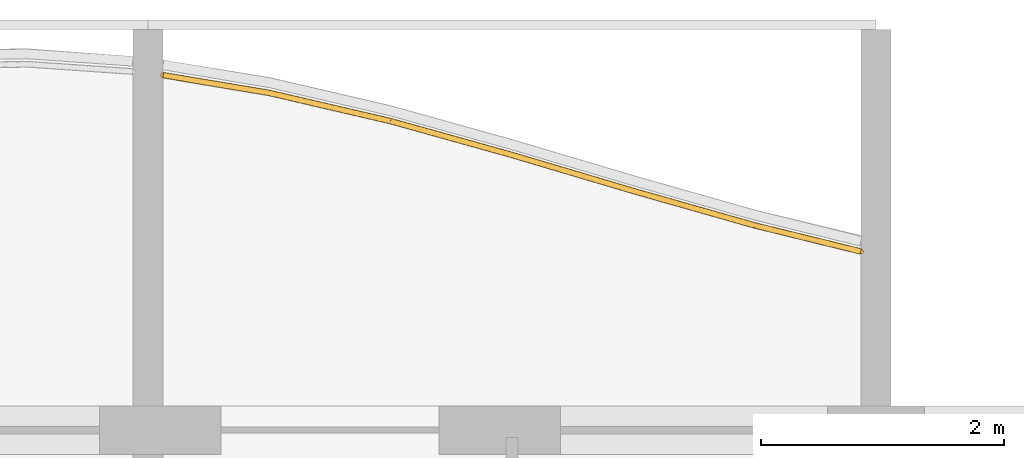
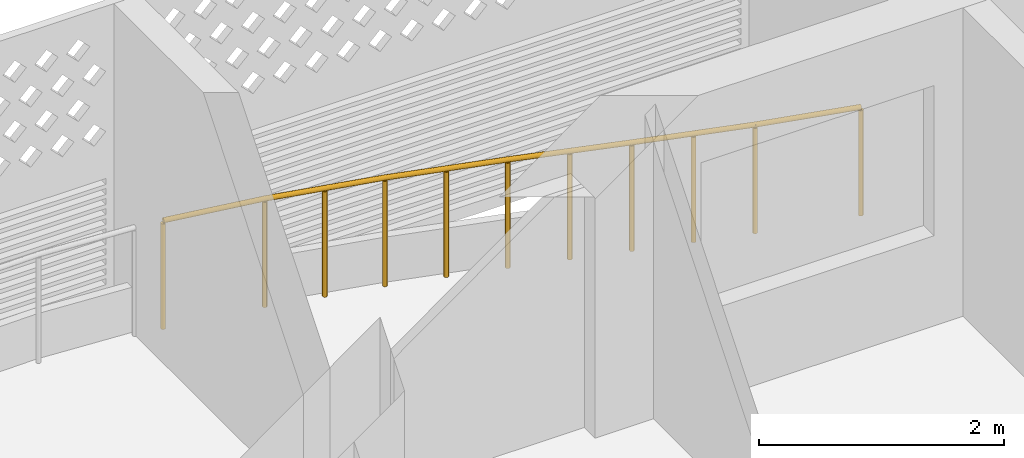
# One storey, part 18 of 27: 1 railing.
"""IFC4 building model written with IfcOpenShell, lengths in metres."""

import ifcopenshell
import ifcopenshell.guid

model = None  # the IFC model being written
_history = None  # IfcOwnerHistory: only IFC2X3 demands one
_inside = {}  # id of a spatial element -> (the spatial element, [elements in it])
_under = {}  # id of a project, library or spatial element -> (it, [spatial elements below it])
_declared = {}  # id of a project -> (the project, [libraries it declares])
_typed = {}  # id of a type object -> (the type object, [elements of that type])
_made_of = {}  # id of a material, layer set ... -> (it, [elements and type objects made of it])


def new_model(schema):
    """Start an empty IFC model of exactly this schema.

    Asked for "IFC4X3", IfcOpenShell would pick the latest addendum, in which some entities
    have other attributes; the version numbers below select the first issue.
    IFC2X3 requires an IfcOwnerHistory on every rooted entity: one is made here for all.
    """
    global model, _history
    if schema == "IFC4X3":
        model = ifcopenshell.file(schema_version=(4, 3, 0, 0))
    else:
        model = ifcopenshell.file(schema=schema)
    _inside.clear()
    _under.clear()
    _declared.clear()
    _typed.clear()
    _made_of.clear()
    _history = None
    if model.schema == "IFC2X3":
        org = make("IfcOrganization", Name="unknown")
        user = make(
            "IfcPersonAndOrganization",
            ThePerson=make("IfcPerson", FamilyName="unknown"),
            TheOrganization=org,
        )
        app = make(
            "IfcApplication",
            ApplicationDeveloper=org,
            Version="unknown",
            ApplicationFullName="unknown",
            ApplicationIdentifier="unknown",
        )
        _history = make(
            "IfcOwnerHistory",
            OwningUser=user,
            OwningApplication=app,
            ChangeAction="ADDED",
            CreationDate=0,
        )
    return model


def make(cls, **values):
    """One entity of the class cls with the attributes given. An attribute that is None is left unset."""
    return model.create_entity(
        cls, **{name: value for name, value in values.items() if value is not None}
    )


def rooted(cls, **values):
    """An entity with a GlobalId (a new one), such as an element, a storey or a relation."""
    return make(cls, GlobalId=ifcopenshell.guid.new(), OwnerHistory=_history, **values)


def si_unit(unit_type, name, prefix=None):
    """IfcSIUnit, for example si_unit("LENGTHUNIT", "METRE", prefix="MILLI")."""
    return make("IfcSIUnit", UnitType=unit_type, Prefix=prefix, Name=name)


def assignment(units):
    """IfcUnitAssignment: the units of a project."""
    return None if units is None else make("IfcUnitAssignment", Units=units)


def point(xyz):
    """IfcCartesianPoint."""
    return None if xyz is None else make("IfcCartesianPoint", Coordinates=xyz)


def direction(xyz):
    """IfcDirection."""
    return None if xyz is None else make("IfcDirection", DirectionRatios=xyz)


def frame(location, z_axis=None, x_axis=None):
    """IfcAxis2Placement3D, a coordinate frame: its origin and axes. An axis left out is left unset."""
    return make(
        "IfcAxis2Placement3D",
        Location=point(location),
        Axis=direction(z_axis),
        RefDirection=direction(x_axis),
    )


def frame_2d(location, x_axis=None):
    """IfcAxis2Placement2D, a coordinate frame in the plane: its origin and x axis."""
    return make(
        "IfcAxis2Placement2D", Location=point(location), RefDirection=direction(x_axis)
    )


def origin():
    """The frame at (0, 0, 0) with its axes left unset."""
    return frame((0.0, 0.0, 0.0))


def origin_2d():
    """The frame at (0, 0) in the plane with its x axis left unset."""
    return frame_2d((0.0, 0.0))


def place(relative_to, where):
    """IfcLocalPlacement: puts the frame where relative to a parent placement (None: the world)."""
    return make(
        "IfcLocalPlacement", PlacementRelTo=relative_to, RelativePlacement=where
    )


def context(
    kind, dimensions, precision=None, world=None, true_north=None, identifier=None
):
    """IfcGeometricRepresentationContext, for example the 3D "Model" context."""
    return make(
        "IfcGeometricRepresentationContext",
        ContextIdentifier=identifier,
        ContextType=kind,
        CoordinateSpaceDimension=dimensions,
        Precision=precision,
        WorldCoordinateSystem=world,
        TrueNorth=true_north,
    )


def subcontext(parent, identifier, kind, view, scale=None):
    """IfcGeometricRepresentationSubContext, for example "Body" below "Model"."""
    return make(
        "IfcGeometricRepresentationSubContext",
        ContextIdentifier=identifier,
        ContextType=kind,
        ParentContext=parent,
        TargetScale=scale,
        TargetView=view,
    )


def project(units=None, contexts=None):
    """IfcProject with its units and contexts."""
    return rooted(
        "IfcProject",
        Name="project",
        RepresentationContexts=contexts,
        UnitsInContext=assignment(units),
    )


def spatial(cls, under=None, at=None, **own):
    """A site, building, storey or space (cls), placed at a placement, below another one or the project."""
    s = rooted(cls, ObjectPlacement=at, **own)
    if under is not None:
        _under.setdefault(under.id(), (under, []))[1].append(s)
    return s


def profile(cls, at=None, kind="AREA", **sizes):
    """A parametric profile (cls). Its sizes go by their IFC names, for example OverallWidth=200.0."""
    return make(cls, ProfileType=kind, Position=at, **sizes)


def circle(**sizes):
    """IfcCircleProfileDef."""
    return profile("IfcCircleProfileDef", **sizes)


def extrude(swept, where, along, depth):
    """IfcExtrudedAreaSolid: the profile swept, set in the frame where, extruded along a direction by depth."""
    return make(
        "IfcExtrudedAreaSolid",
        SweptArea=swept,
        Position=where,
        ExtrudedDirection=direction(along),
        Depth=depth,
    )


def shape(context_of_items, identifier, shape_type, items):
    """IfcShapeRepresentation: the items that make up one representation, for example the "Body"."""
    return make(
        "IfcShapeRepresentation",
        ContextOfItems=context_of_items,
        RepresentationIdentifier=identifier,
        RepresentationType=shape_type,
        Items=items,
    )


def material(Name=None, Category=None):
    """IfcMaterial."""
    return make("IfcMaterial", Name=Name, Category=Category)


def made_of(thing, what):
    """Note that an element or type object is made of a material, layer set ...; save() writes the relation."""
    if what is not None:
        _made_of.setdefault(what.id(), (what, []))[1].append(thing)
    return thing


def type_object(cls, material=None, **own):
    """A type object (cls), such as IfcWallType, which elements share."""
    return made_of(rooted(cls, **own), material)


def element(
    cls,
    number,
    at=None,
    inside=None,
    cuts=None,
    type_object=None,
    material=None,
    context=None,
    identifier="Body",
    shape_type=None,
    held_by="IfcProductDefinitionShape",
    body=None,
    shapes=None,
    **own,
):
    """One element of the class cls, such as IfcWall. Its Tag is "e" and its number.

    at: its placement. inside: the storey or other place that contains it. cuts: it is an
    opening in that element (IfcRelVoidsElement). A single representation is given by context,
    identifier, shape_type and body (its items); several are given by shapes. held_by: the class
    of the entity that holds the representations. save() writes the other relations.
    """
    e = rooted(cls, Tag="e%d" % number, ObjectPlacement=at, **own)
    if body is not None:
        shapes = [shape(context, identifier, shape_type, body)]
    if shapes is not None:
        e.Representation = make(held_by, Representations=shapes)
    if inside is not None:
        _inside.setdefault(inside.id(), (inside, []))[1].append(e)
    if cuts is not None:
        rooted(
            "IfcRelVoidsElement", RelatingBuildingElement=cuts, RelatedOpeningElement=e
        )
    if type_object is not None:
        _typed.setdefault(type_object.id(), (type_object, []))[1].append(e)
    return made_of(e, material)


def aggregate(whole, parts):
    """IfcRelAggregates: a whole, such as a stair, and the parts it consists of."""
    return rooted("IfcRelAggregates", RelatingObject=whole, RelatedObjects=parts)


def save(model, path):
    """Write the relations noted so far, then the file.

    IfcRelAggregates (storeys below a building ...), IfcRelContainedInSpatialStructure (elements
    in a storey), IfcRelDefinesByType, IfcRelAssociatesMaterial and IfcRelDeclares: one each for
    every whole, place, type object, material and project.
    """
    for whole, parts in _under.values():
        aggregate(whole, parts)
    for where, things in _inside.values():
        rooted(
            "IfcRelContainedInSpatialStructure",
            RelatedElements=things,
            RelatingStructure=where,
        )
    for kind, things in _typed.values():
        rooted("IfcRelDefinesByType", RelatedObjects=things, RelatingType=kind)
    for what, things in _made_of.values():
        rooted("IfcRelAssociatesMaterial", RelatedObjects=things, RelatingMaterial=what)
    for by, libraries in _declared.values():
        rooted("IfcRelDeclares", RelatingContext=by, RelatedDefinitions=libraries)
    model.write(path)


model = new_model("IFC4")

# Units and contexts
model_context = context("Model", 3, precision=1e-05, world=origin(), true_north=direction((0.0, 1.0)))
body_context = subcontext(model_context, "Body", "Model", "MODEL_VIEW")
ifc_project = project(units=[si_unit("LENGTHUNIT", "METRE"), si_unit("AREAUNIT", "SQUARE_METRE"), si_unit("VOLUMEUNIT", "CUBIC_METRE"), si_unit("PLANEANGLEUNIT", "RADIAN"), si_unit("MASSUNIT", "GRAM", prefix="KILO")], contexts=[model_context])

# Site, building, storey
site_placement = place(None, origin())
site = spatial("IfcSite", under=ifc_project, at=site_placement, CompositionType="ELEMENT")
building_placement = place(site_placement, origin())
building = spatial("IfcBuilding", under=site, at=building_placement, Name="Poui Terraces", CompositionType="ELEMENT")
storey_placement = place(building_placement, frame((0.0, 0.0, 198.300048828125)))
storey = spatial("IfcBuildingStorey", under=building, at=storey_placement, Name="L55", CompositionType="ELEMENT", Elevation=198.300048828125)

# Railing
ifc_material = material(Name="Painted steel fretwork", Category="steel")
railing_type = type_object("IfcRailingType", Name="BALCONY GUARD 1100", PredefinedType="GUARDRAIL", material=ifc_material)
railing_placement = place(storey_placement, frame((30.125, 44.125244140625, 0.0)))
element("IfcRailing", 1, at=railing_placement, inside=storey, type_object=railing_type, Name="BALCONY GUARD", PredefinedType="GUARDRAIL", context=body_context, shape_type="SweptSolid", body=[
    extrude(circle(Radius=0.02392578125, at=origin_2d()), frame((0.0, 0.0, 1.076171875), z_axis=(0.986319444302, -0.164845241947, 0.0), x_axis=(0.164845241947, 0.986319444302, 0.0)), (0.0, 0.0, 1.0), 0.88720703125),
    extrude(circle(Radius=0.02392578125, at=origin_2d()), frame((0.875, -0.146240234375, 1.076171875), z_axis=(0.974037301865, -0.226387576019, 0.0), x_axis=(0.226387576019, 0.974037301865, 0.0)), (0.0, 0.0, 1.0), 1.026611328125),
    extrude(circle(Radius=0.02392578125, at=origin_2d()), frame((1.875, -0.378662109375, 1.076171875), z_axis=(0.963261408291, -0.268565558659, 0.0), x_axis=(0.268565558659, 0.963261408291, 0.0)), (0.0, 0.0, 1.0), 1.0380859375),
    extrude(circle(Radius=0.02392578125, at=origin_2d()), frame((2.875, -0.657470703125, 1.076171875), z_axis=(0.958710700624, -0.284383179018, 0.0), x_axis=(0.284383179018, 0.958710700624, 0.0)), (0.0, 0.0, 1.0), 1.04296875),
    extrude(circle(Radius=0.02392578125, at=origin_2d()), frame((3.875, -0.9541015625, 1.076171875), z_axis=(0.961974635381, -0.273138794177, 0.0), x_axis=(0.273138794177, 0.961974635381, 0.0)), (0.0, 0.0, 1.0), 1.03955078125),
    extrude(circle(Radius=0.02392578125, at=origin_2d()), frame((4.875, -1.238037109375, 1.076171875), z_axis=(0.971154038522, -0.23845300053, 0.0), x_axis=(0.23845300053, 0.971154038522, 0.0)), (0.0, 0.0, 1.0), 0.90087890625),
    extrude(circle(Radius=0.02099609375, at=origin_2d()), origin(), (0.0, 0.0, 1.0), 1.052001953125),
    extrude(circle(Radius=0.02099609375, at=origin_2d()), frame((0.875, -0.146240234375, 0.0)), (0.0, 0.0, 1.0), 1.052001953125),
    extrude(circle(Radius=0.02099609375, at=origin_2d()), frame((1.375, -0.262451171875, 0.0)), (0.0, 0.0, 1.0), 1.052001953125),
    extrude(circle(Radius=0.02099609375, at=origin_2d()), frame((1.875, -0.378662109375, 0.0)), (0.0, 0.0, 1.0), 1.052001953125),
    extrude(circle(Radius=0.02099609375, at=origin_2d()), frame((2.375, -0.51806640625, 0.0)), (0.0, 0.0, 1.0), 1.052001953125),
    extrude(circle(Radius=0.02099609375, at=origin_2d()), frame((2.875, -0.657470703125, 0.0)), (0.0, 0.0, 1.0), 1.052001953125),
    extrude(circle(Radius=0.02099609375, at=origin_2d()), frame((3.375, -0.8056640625, 0.0)), (0.0, 0.0, 1.0), 1.052001953125),
    extrude(circle(Radius=0.02099609375, at=origin_2d()), frame((3.875, -0.9541015625, 0.0)), (0.0, 0.0, 1.0), 1.052001953125),
    extrude(circle(Radius=0.02099609375, at=origin_2d()), frame((4.375, -1.09619140625, 0.0)), (0.0, 0.0, 1.0), 1.052001953125),
    extrude(circle(Radius=0.02099609375, at=origin_2d()), frame((4.875, -1.238037109375, 0.0)), (0.0, 0.0, 1.0), 1.052001953125),
    extrude(circle(Radius=0.02099609375, at=origin_2d()), frame((5.75, -1.452880859375, 0.0)), (0.0, 0.0, 1.0), 1.052001953125),
])

save(model, "model.ifc")
